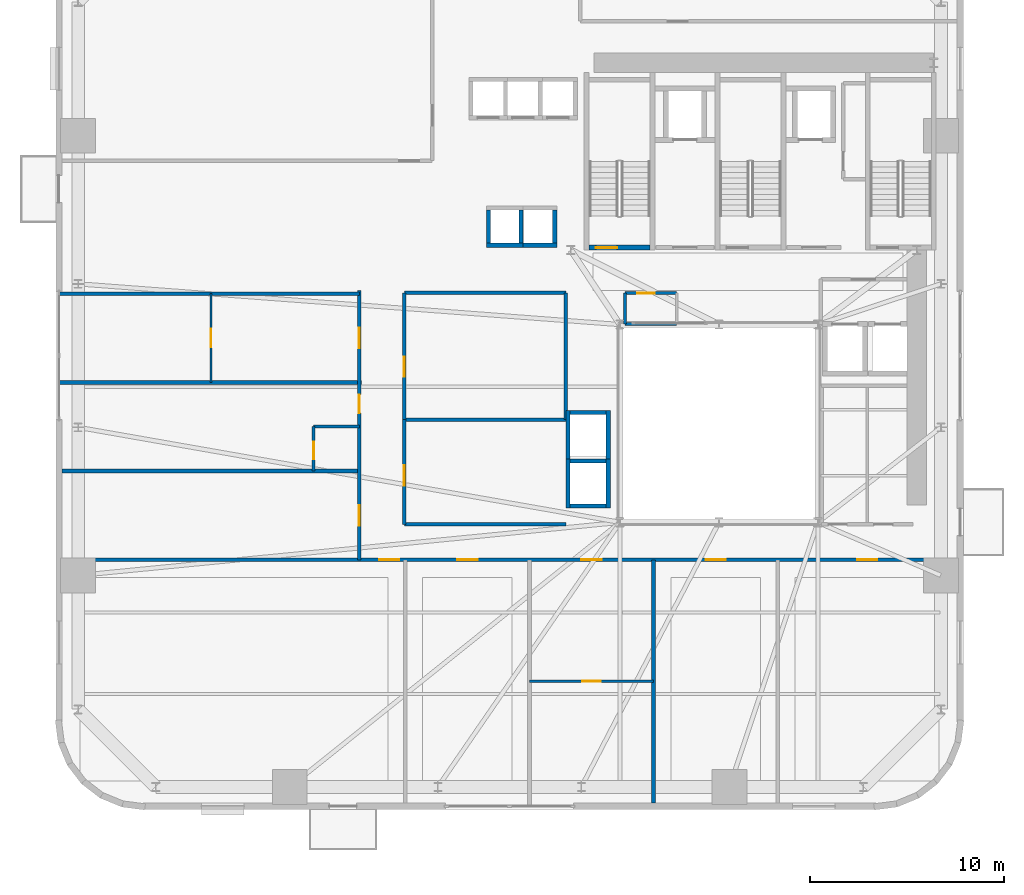
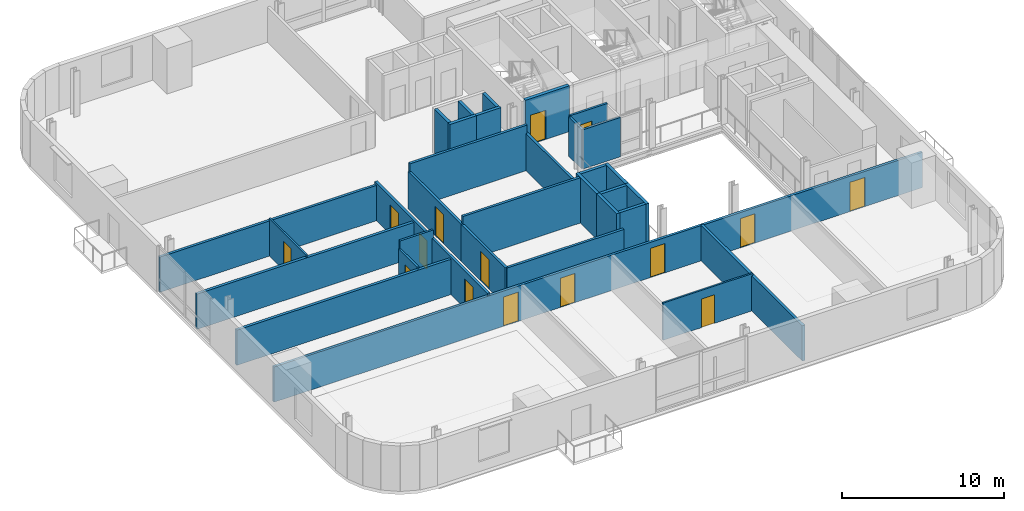
# One storey, part 6 of 13: 32 walls, 15 doors, 15 openings.
"""IFC4 building model written with IfcOpenShell, lengths in metres."""

from ifc_helpers import new_model, si_unit, direction, frame, frame_2d, origin, place, context, subcontext, project, spatial, rectangle, extrude, source, transform, mapped, material, layer, layer_set, type_object, element, fill, save


model = new_model("IFC4")

# Units and contexts
model_context = context("Model", 3, precision=1e-05, world=origin(), true_north=direction((0.0, 1.0)))
body_context = subcontext(model_context, "Body", "Model", "MODEL_VIEW")
ifc_project = project(units=[si_unit("LENGTHUNIT", "METRE"), si_unit("AREAUNIT", "SQUARE_METRE"), si_unit("VOLUMEUNIT", "CUBIC_METRE"), si_unit("PLANEANGLEUNIT", "RADIAN"), si_unit("MASSUNIT", "GRAM", prefix="KILO")], contexts=[model_context])

# Site, building, storey
site_placement = place(None, origin())
site = spatial("IfcSite", under=ifc_project, at=site_placement, CompositionType="ELEMENT")
building_placement = place(site_placement, origin())
building = spatial("IfcBuilding", under=site, at=building_placement, Name="Vardaveli Station Tower", CompositionType="ELEMENT")
storey_placement = place(building_placement, frame((0.0, 0.0, 31.25)))
storey = spatial("IfcBuildingStorey", under=building, at=storey_placement, Name="L07", CompositionType="ELEMENT", Elevation=31.25)

# Wall, opening, door
ifc_material_1 = material(Name="Concrete C40/50", Category="concrete")
ifc_layer_1 = layer(ifc_material_1, 0.25, Name="Concrete C40/50")
ifc_layer_set_1 = layer_set([ifc_layer_1], Name="Concrete C40/50")
wall_type_1 = type_object("IfcWallType", Name="WAL-SHAFT-250", PredefinedType="SOLIDWALL", material=ifc_layer_set_1)
shared_shape_1 = source(origin(), body_context, "Body", "SweptSolid", [
    extrude(rectangle(XDim=3.14990234375, YDim=0.25, at=frame_2d((1.574951171875, 0.0))), origin(), (0.0, 0.0, 1.0), 3.449951171875),
])
wall_1_placement = place(storey_placement, frame((29.60009765625, 30.77490234375, 0.0), z_axis=(0.0, 0.0, 1.0), x_axis=(1.0, 0.0, 0.0)))
wall_1 = element("IfcWall", 1, at=wall_1_placement, inside=storey, type_object=wall_type_1, Name="W-L07-ST-1S", PredefinedType="SOLIDWALL", context=body_context, shape_type="MappedRepresentation", body=[
    mapped(shared_shape_1, transform((0.0, 0.0, 0.0), scale=1.0)),
])
shared_shape_2 = source(origin(), body_context, "Body", "SweptSolid", [
    extrude(rectangle(XDim=1.10009765625, YDim=2.199951171875, at=frame_2d((0.550048828125, 1.10009765625))), frame((0.0, 0.135009765625, 0.0), z_axis=(0.0, -1.0, 0.0), x_axis=(1.0, 0.0, 0.0)), (0.0, 0.0, 1.0), 0.27001953125),
])
opening_1_placement = place(wall_1_placement, frame((0.35009765625, 0.0, 0.0)))
opening_1 = element("IfcOpeningElement", 2, at=opening_1_placement, cuts=wall_1, Name="Opening D-04", PredefinedType="OPENING", context=body_context, shape_type="MappedRepresentation", body=[
    mapped(shared_shape_2, transform((0.0, 0.0, 0.0), scale=1.0)),
])
ifc_material_2 = material(Name="Steel smokeproof fire doorset", Category="steel")
door_type_1 = type_object("IfcDoorType", Name="DR-ST-1100x2200", OperationType="NOTDEFINED", PredefinedType="DOOR", material=ifc_material_2)
shared_shape_3 = source(origin(), body_context, "Body", "SweptSolid", [
    extrude(rectangle(XDim=1.10009765625, YDim=2.199951171875, at=frame_2d((0.550048828125, 1.10009765625))), frame((0.0, 0.02490234375, 0.0), z_axis=(0.0, -1.0, 0.0), x_axis=(1.0, 0.0, 0.0)), (0.0, 0.0, 1.0), 0.050048828125),
])
door_1_placement = place(opening_1_placement, origin())
door_1 = element("IfcDoor", 3, at=door_1_placement, inside=storey, type_object=door_type_1, Name="DST-1-L07", OperationType="SINGLE_SWING_LEFT", OverallHeight=2.199951171875, OverallWidth=1.10009765625, PredefinedType="DOOR", context=body_context, shape_type="MappedRepresentation", body=[
    mapped(shared_shape_3, transform((0.0, 0.0, 0.0), scale=1.0)),
])
fill(opening_1, door_1)

# Walls
ifc_layer_2 = layer(ifc_material_1, 0.219970703125, Name="Concrete C40/50")
ifc_layer_set_2 = layer_set([ifc_layer_2], Name="Concrete C40/50")
wall_type_2 = type_object("IfcWallType", Name="WAL-FFLOBBY-220", PredefinedType="SOLIDWALL", material=ifc_layer_set_2)
shared_shape_4 = source(origin(), body_context, "Body", "SweptSolid", [
    extrude(rectangle(XDim=1.89013671875, YDim=0.219970703125, at=frame_2d((0.945068359375, 0.0))), origin(), (0.0, 0.0, 1.0), 3.409912109375),
])
for number, where, z_axis, x_axis, name in (
    (4, (24.304931640625, 30.889892578125, 0.0), (0.0, 0.0, 1.0), (1.0, 0.0, 0.0), "SHW-SHU-01-L07-S"),
    (5, (26.054931640625, 30.889892578125, 0.0), (0.0, 0.0, 1.0), (1.0, 0.0, 0.0), "SHW-SHU-02-L07-S"),
):
    element("IfcWall", number, at=place(storey_placement, frame(where, z_axis=z_axis, x_axis=x_axis)), inside=storey, type_object=wall_type_2, Name=name, PredefinedType="SOLIDWALL", context=body_context, shape_type="MappedRepresentation", body=[
        mapped(shared_shape_4, transform((0.0, 0.0, 0.0), scale=1.0)),
    ])
shared_shape_5 = source(origin(), body_context, "Body", "SweptSolid", [
    extrude(rectangle(XDim=1.699951171875, YDim=0.219970703125, at=frame_2d((0.85009765625, 0.0))), origin(), (0.0, 0.0, 1.0), 3.409912109375),
])
for number, where, z_axis, x_axis, name in (
    (6, (24.4150390625, 31.0, 0.0), (0.0, 0.0, 1.0), (0.0, 1.0, 0.0), "SHW-SHU-01-L07-W"),
    (7, (26.0849609375, 31.0, 0.0), (0.0, 0.0, 1.0), (0.0, 1.0, 0.0), "SHW-SHU-01-L07-E"),
    (8, (27.8349609375, 31.0, 0.0), (0.0, 0.0, 1.0), (0.0, 1.0, 0.0), "SHW-SHU-02-L07-E"),
):
    element("IfcWall", number, at=place(storey_placement, frame(where, z_axis=z_axis, x_axis=x_axis)), inside=storey, type_object=wall_type_2, Name=name, PredefinedType="SOLIDWALL", context=body_context, shape_type="MappedRepresentation", body=[
        mapped(shared_shape_5, transform((0.0, 0.0, 0.0), scale=1.0)),
    ])
shared_shape_6 = source(origin(), body_context, "Body", "SweptSolid", [
    extrude(rectangle(XDim=1.85009765625, YDim=0.219970703125, at=frame_2d((0.925048828125, 0.0))), origin(), (0.0, 0.0, 1.0), 3.409912109375),
])
for number, where, z_axis, x_axis, name in (
    (9, (28.625, 17.43994140625, 0.0), (0.0, 0.0, 1.0), (1.0, 0.0, 0.0), "SHW-OBS-01-L07-S"),
    (10, (28.625, 19.760009765625, 0.0), (0.0, 0.0, 1.0), (1.0, 0.0, 0.0), "SHW-OBS-01-L07-N"),
    (11, (28.625, 22.260009765625, 0.0), (0.0, 0.0, 1.0), (1.0, 0.0, 0.0), "SHW-OBS-02-L07-N"),
):
    element("IfcWall", number, at=place(storey_placement, frame(where, z_axis=z_axis, x_axis=x_axis)), inside=storey, type_object=wall_type_2, Name=name, PredefinedType="SOLIDWALL", context=body_context, shape_type="MappedRepresentation", body=[
        mapped(shared_shape_6, transform((0.0, 0.0, 0.0), scale=1.0)),
    ])
shared_shape_7 = source(origin(), body_context, "Body", "SweptSolid", [
    extrude(rectangle(XDim=2.5400390625, YDim=0.219970703125, at=frame_2d((1.27001953125, 0.0))), origin(), (0.0, 0.0, 1.0), 3.409912109375),
])
for number, where, z_axis, x_axis, name in (
    (12, (28.514892578125, 17.330078125, 0.0), (0.0, 0.0, 1.0), (0.0, 1.0, 0.0), "SHW-OBS-01-L07-W"),
    (13, (30.5849609375, 17.330078125, 0.0), (0.0, 0.0, 1.0), (0.0, 1.0, 0.0), "SHW-OBS-01-L07-E"),
    (14, (28.514892578125, 19.830078125, 0.0), (0.0, 0.0, 1.0), (0.0, 1.0, 0.0), "SHW-OBS-02-L07-W"),
    (15, (30.5849609375, 19.830078125, 0.0), (0.0, 0.0, 1.0), (0.0, 1.0, 0.0), "SHW-OBS-02-L07-E"),
):
    element("IfcWall", number, at=place(storey_placement, frame(where, z_axis=z_axis, x_axis=x_axis)), inside=storey, type_object=wall_type_2, Name=name, PredefinedType="SOLIDWALL", context=body_context, shape_type="MappedRepresentation", body=[
        mapped(shared_shape_7, transform((0.0, 0.0, 0.0), scale=1.0)),
    ])

# Wall, openings, doors
ifc_material_3 = material(Name="Fire-rated gypsum stud partition")
ifc_layer_3 = layer(ifc_material_3, 0.179931640625, Name="Fire-rated gypsum stud partition")
ifc_layer_set_3 = layer_set([ifc_layer_3], Name="Fire-rated gypsum stud partition")
wall_type_3 = type_object("IfcWallType", Name="WAL-CORR-180", PredefinedType="PARTITIONING", material=ifc_layer_set_3)
shared_shape_8 = source(origin(), body_context, "Body", "SweptSolid", [
    extrude(rectangle(XDim=13.89013671875, YDim=0.179931640625, at=frame_2d((6.945068359375, 0.0))), origin(), (0.0, 0.0, 1.0), 2.802001953125),
])
wall_2_placement = place(storey_placement, frame((17.75, 14.659912109375, 0.0), z_axis=(0.0, 0.0, 1.0), x_axis=(0.0, 1.0, 0.0)))
wall_2 = element("IfcWall", 16, at=wall_2_placement, inside=storey, type_object=wall_type_3, Name="W-L07-CW", PredefinedType="PARTITIONING", context=body_context, shape_type="MappedRepresentation", body=[
    mapped(shared_shape_8, transform((0.0, 0.0, 0.0), scale=1.0)),
])
shared_shape_9 = source(origin(), body_context, "Body", "SweptSolid", [
    extrude(rectangle(XDim=1.050048828125, YDim=2.199951171875, at=frame_2d((0.52490234375, 1.10009765625))), frame((0.0, 0.10009765625, 0.0), z_axis=(0.0, -1.0, 0.0), x_axis=(1.0, 0.0, 0.0)), (0.0, 0.0, 1.0), 0.199951171875),
])
opening_2_placement = place(wall_2_placement, frame((1.77001953125, 0.0, 0.0)))
opening_2 = element("IfcOpeningElement", 17, at=opening_2_placement, cuts=wall_2, Name="Opening D-05", PredefinedType="OPENING", context=body_context, shape_type="MappedRepresentation", body=[
    mapped(shared_shape_9, transform((0.0, 0.0, 0.0), scale=1.0)),
])
shared_shape_10 = source(origin(), body_context, "Body", "SweptSolid", [
    extrude(rectangle(XDim=0.949951171875, YDim=2.14990234375, at=frame_2d((0.47509765625, 1.074951171875))), frame((0.0, 0.10009765625, 0.0), z_axis=(0.0, -1.0, 0.0), x_axis=(1.0, 0.0, 0.0)), (0.0, 0.0, 1.0), 0.199951171875),
])
opening_3_placement = place(wall_2_placement, frame((7.574951171875, 0.0, 0.0)))
opening_3 = element("IfcOpeningElement", 18, at=opening_3_placement, cuts=wall_2, Name="Opening D-06", PredefinedType="OPENING", context=body_context, shape_type="MappedRepresentation", body=[
    mapped(shared_shape_10, transform((0.0, 0.0, 0.0), scale=1.0)),
])
opening_4_placement = place(wall_2_placement, frame((10.929931640625, 0.0, 0.0)))
opening_4 = element("IfcOpeningElement", 19, at=opening_4_placement, cuts=wall_2, Name="Opening D-05", PredefinedType="OPENING", context=body_context, shape_type="MappedRepresentation", body=[
    mapped(shared_shape_9, transform((0.0, 0.0, 0.0), scale=1.0)),
])
ifc_material_4 = material(Name="Walnut veneer acoustic fire door")
door_type_2 = type_object("IfcDoorType", Name="DR-SUITE-1050x2200", OperationType="NOTDEFINED", PredefinedType="DOOR", material=ifc_material_4)
shared_shape_11 = source(origin(), body_context, "Body", "SweptSolid", [
    extrude(rectangle(XDim=1.050048828125, YDim=2.199951171875, at=frame_2d((0.52490234375, 1.10009765625))), frame((0.0, 0.02490234375, 0.0), z_axis=(0.0, -1.0, 0.0), x_axis=(1.0, 0.0, 0.0)), (0.0, 0.0, 1.0), 0.050048828125),
])
door_2_placement = place(opening_2_placement, origin())
door_2 = element("IfcDoor", 20, at=door_2_placement, inside=storey, type_object=door_type_2, Name="D-L07-GW1", OperationType="SINGLE_SWING_RIGHT", OverallHeight=2.199951171875, OverallWidth=1.050048828125, PredefinedType="DOOR", context=body_context, shape_type="MappedRepresentation", body=[
    mapped(shared_shape_11, transform((0.0, 0.0, 0.0), scale=1.0)),
])
fill(opening_2, door_2)
door_3_placement = place(opening_4_placement, origin())
door_3 = element("IfcDoor", 21, at=door_3_placement, inside=storey, type_object=door_type_2, Name="D-L07-GW3", OperationType="SINGLE_SWING_RIGHT", OverallHeight=2.199951171875, OverallWidth=1.050048828125, PredefinedType="DOOR", context=body_context, shape_type="MappedRepresentation", body=[
    mapped(shared_shape_11, transform((0.0, 0.0, 0.0), scale=1.0)),
])
fill(opening_4, door_3)
ifc_material_5 = material(Name="Oak veneer acoustic fire door")
door_type_3 = type_object("IfcDoorType", Name="DR-GUEST-950x2150", OperationType="NOTDEFINED", PredefinedType="DOOR", material=ifc_material_5)
shared_shape_12 = source(origin(), body_context, "Body", "SweptSolid", [
    extrude(rectangle(XDim=0.949951171875, YDim=2.14990234375, at=frame_2d((0.47509765625, 1.074951171875))), frame((0.0, 0.02490234375, 0.0), z_axis=(0.0, -1.0, 0.0), x_axis=(1.0, 0.0, 0.0)), (0.0, 0.0, 1.0), 0.050048828125),
])
door_4_placement = place(opening_3_placement, origin())
door_4 = element("IfcDoor", 22, at=door_4_placement, inside=storey, type_object=door_type_3, Name="D-L07-GW2", OperationType="SINGLE_SWING_LEFT", OverallHeight=2.14990234375, OverallWidth=0.949951171875, PredefinedType="DOOR", context=body_context, shape_type="MappedRepresentation", body=[
    mapped(shared_shape_12, transform((0.0, 0.0, 0.0), scale=1.0)),
])
fill(opening_3, door_4)

# Wall, opening, door
ifc_material_6 = material(Name="Gypsum board stud partition")
ifc_layer_4 = layer(ifc_material_6, 0.125, Name="Gypsum board stud partition")
ifc_layer_set_4 = layer_set([ifc_layer_4], Name="Gypsum board stud partition")
wall_type_4 = type_object("IfcWallType", Name="WAL-INT-125", PredefinedType="PARTITIONING", material=ifc_layer_set_4)
shared_shape_13 = source(origin(), body_context, "Body", "SweptSolid", [
    extrude(rectangle(XDim=6.404052734375, YDim=0.125, at=frame_2d((3.2021484375, 0.0))), origin(), (0.0, 0.0, 1.0), 2.802001953125),
])
wall_3_placement = place(storey_placement, frame((26.52294921875, 8.405029296875, 0.0), z_axis=(0.0, 0.0, 1.0), x_axis=(1.0, 0.0, 0.0)))
wall_3 = element("IfcWall", 23, at=wall_3_placement, inside=storey, type_object=wall_type_4, Name="W-L07-SCM3", PredefinedType="PARTITIONING", context=body_context, shape_type="MappedRepresentation", body=[
    mapped(shared_shape_13, transform((0.0, 0.0, 0.0), scale=1.0)),
])
shared_shape_14 = source(origin(), body_context, "Body", "SweptSolid", [
    extrude(rectangle(XDim=0.949951171875, YDim=2.14990234375, at=frame_2d((0.47509765625, 1.074951171875))), frame((0.0, 0.072509765625, 0.0), z_axis=(0.0, -1.0, 0.0), x_axis=(1.0, 0.0, 0.0)), (0.0, 0.0, 1.0), 0.14501953125),
])
opening_5_placement = place(wall_3_placement, frame((2.7216796875, 0.0, 0.0)))
opening_5 = element("IfcOpeningElement", 24, at=opening_5_placement, cuts=wall_3, Name="Opening D-11", PredefinedType="OPENING", context=body_context, shape_type="MappedRepresentation", body=[
    mapped(shared_shape_14, transform((0.0, 0.0, 0.0), scale=1.0)),
])
ifc_material_7 = material(Name="Oak veneer internal suite door")
door_type_4 = type_object("IfcDoorType", Name="DR-INT-950x2150", OperationType="NOTDEFINED", PredefinedType="DOOR", material=ifc_material_7)
door_5_placement = place(opening_5_placement, origin())
door_5 = element("IfcDoor", 25, at=door_5_placement, inside=storey, type_object=door_type_4, Name="D-L07-SCF3", OperationType="SINGLE_SWING_LEFT", OverallHeight=2.14990234375, OverallWidth=0.949951171875, PredefinedType="DOOR", context=body_context, shape_type="MappedRepresentation", body=[
    mapped(shared_shape_12, transform((0.0, 0.0, 0.0), scale=1.0)),
])
fill(opening_5, door_5)

shared_shape_15 = source(origin(), body_context, "Body", "SweptSolid", [
    extrude(rectangle(XDim=4.579833984375, YDim=0.125, at=frame_2d((2.2900390625, 0.0))), origin(), (0.0, 0.0, 1.0), 2.802001953125),
])
wall_4_placement = place(storey_placement, frame((10.10009765625, 23.820068359375, 0.0), z_axis=(0.0, 0.0, 1.0), x_axis=(0.0, 1.0, 0.0)))
wall_4 = element("IfcWall", 26, at=wall_4_placement, inside=storey, type_object=wall_type_4, Name="W-L07-WCM3", PredefinedType="PARTITIONING", context=body_context, shape_type="MappedRepresentation", body=[
    mapped(shared_shape_15, transform((0.0, 0.0, 0.0), scale=1.0)),
])
opening_6_placement = place(wall_4_placement, frame((1.81005859375, 0.0, 0.0)))
opening_6 = element("IfcOpeningElement", 27, at=opening_6_placement, cuts=wall_4, Name="Opening D-11", PredefinedType="OPENING", context=body_context, shape_type="MappedRepresentation", body=[
    mapped(shared_shape_14, transform((0.0, 0.0, 0.0), scale=1.0)),
])
door_6_placement = place(opening_6_placement, origin())
door_6 = element("IfcDoor", 28, at=door_6_placement, inside=storey, type_object=door_type_4, Name="D-L07-GWF3", OperationType="SINGLE_SWING_LEFT", OverallHeight=2.14990234375, OverallWidth=0.949951171875, PredefinedType="DOOR", context=body_context, shape_type="MappedRepresentation", body=[
    mapped(shared_shape_12, transform((0.0, 0.0, 0.0), scale=1.0)),
])
fill(opening_6, door_6)

ifc_material_8 = material(Name="Moisture-resistant stud partition")
ifc_layer_5 = layer(ifc_material_8, 0.14990234375, Name="Moisture-resistant stud partition")
ifc_layer_set_5 = layer_set([ifc_layer_5], Name="Moisture-resistant stud partition")
wall_type_5 = type_object("IfcWallType", Name="WAL-WET-150", PredefinedType="PARTITIONING", material=ifc_layer_set_5)
shared_shape_16 = source(origin(), body_context, "Body", "SweptSolid", [
    extrude(rectangle(XDim=2.2900390625, YDim=0.14990234375, at=frame_2d((1.14501953125, 0.0))), origin(), (0.0, 0.0, 1.0), 2.802001953125),
])
wall_5_placement = place(storey_placement, frame((15.389892578125, 19.260009765625, 0.0), z_axis=(0.0, 0.0, 1.0), x_axis=(0.0, 1.0, 0.0)))
wall_5 = element("IfcWall", 29, at=wall_5_placement, inside=storey, type_object=wall_type_5, Name="W-L07-BW2-W", PredefinedType="PARTITIONING", context=body_context, shape_type="MappedRepresentation", body=[
    mapped(shared_shape_16, transform((0.0, 0.0, 0.0), scale=1.0)),
])
shared_shape_17 = source(origin(), body_context, "Body", "SweptSolid", [
    extrude(rectangle(XDim=0.89990234375, YDim=2.10009765625, at=frame_2d((0.449951171875, 1.050048828125))), frame((0.0, 0.0849609375, 0.0), z_axis=(0.0, -1.0, 0.0), x_axis=(1.0, 0.0, 0.0)), (0.0, 0.0, 1.0), 0.169921875),
])
opening_7_placement = place(wall_5_placement, frame((0.60009765625, 0.0, 0.0)))
opening_7 = element("IfcOpeningElement", 30, at=opening_7_placement, cuts=wall_5, Name="Opening D-08", PredefinedType="OPENING", context=body_context, shape_type="MappedRepresentation", body=[
    mapped(shared_shape_17, transform((0.0, 0.0, 0.0), scale=1.0)),
])
ifc_material_9 = material(Name="Moisture-resistant oak door")
door_type_5 = type_object("IfcDoorType", Name="DR-BATH-900x2100", OperationType="NOTDEFINED", PredefinedType="DOOR", material=ifc_material_9)
shared_shape_18 = source(origin(), body_context, "Body", "SweptSolid", [
    extrude(rectangle(XDim=0.89990234375, YDim=2.10009765625, at=frame_2d((0.449951171875, 1.050048828125))), frame((0.0, 0.02490234375, 0.0), z_axis=(0.0, -1.0, 0.0), x_axis=(1.0, 0.0, 0.0)), (0.0, 0.0, 1.0), 0.050048828125),
])
door_7_placement = place(opening_7_placement, origin())
door_7 = element("IfcDoor", 31, at=door_7_placement, inside=storey, type_object=door_type_5, Name="D-L07-BW2", OperationType="SINGLE_SWING_LEFT", OverallHeight=2.10009765625, OverallWidth=0.89990234375, PredefinedType="DOOR", context=body_context, shape_type="MappedRepresentation", body=[
    mapped(shared_shape_18, transform((0.0, 0.0, 0.0), scale=1.0)),
])
fill(opening_7, door_7)

# Walls
shared_shape_19 = source(origin(), body_context, "Body", "SweptSolid", [
    extrude(rectangle(XDim=8.329833984375, YDim=0.179931640625, at=frame_2d((4.1650390625, 0.0))), origin(), (0.0, 0.0, 1.0), 2.802001953125),
])
wall_6_placement = place(storey_placement, frame((20.070068359375, 16.5, 0.0), z_axis=(0.0, 0.0, 1.0), x_axis=(1.0, 0.0, 0.0)))
element("IfcWall", 32, at=wall_6_placement, inside=storey, type_object=wall_type_3, Name="W-L07-ATW1-S", PredefinedType="PARTITIONING", context=body_context, shape_type="MappedRepresentation", body=[
    mapped(shared_shape_19, transform((0.0, 0.0, 0.0), scale=1.0)),
])
shared_shape_20 = source(origin(), body_context, "Body", "SweptSolid", [
    extrude(rectangle(XDim=8.329833984375, YDim=0.179931640625, at=frame_2d((4.1650390625, 0.0))), origin(), (0.0, 0.0, 1.0), 3.409912109375),
])
for number, where, z_axis, x_axis, name in (
    (33, (20.070068359375, 21.89990234375, 0.0), (0.0, 0.0, 1.0), (1.0, 0.0, 0.0), "W-L07-ATW1-N"),
    (34, (20.070068359375, 28.43994140625, 0.0), (0.0, 0.0, 1.0), (1.0, 0.0, 0.0), "W-L07-ATW2-N"),
):
    element("IfcWall", number, at=place(storey_placement, frame(where, z_axis=z_axis, x_axis=x_axis)), inside=storey, type_object=wall_type_3, Name=name, PredefinedType="PARTITIONING", context=body_context, shape_type="MappedRepresentation", body=[
        mapped(shared_shape_20, transform((0.0, 0.0, 0.0), scale=1.0)),
    ])
shared_shape_21 = source(origin(), body_context, "Body", "SweptSolid", [
    extrude(rectangle(XDim=2.360107421875, YDim=0.14990234375, at=frame_2d((1.18017578125, 0.0))), origin(), (0.0, 0.0, 1.0), 3.409912109375),
])
wall_7_placement = place(storey_placement, frame((15.389892578125, 21.550048828125, 0.0), z_axis=(0.0, 0.0, 1.0), x_axis=(1.0, 0.0, 0.0)))
element("IfcWall", 35, at=wall_7_placement, inside=storey, type_object=wall_type_5, Name="W-L07-BW2-N", PredefinedType="PARTITIONING", context=body_context, shape_type="MappedRepresentation", body=[
    mapped(shared_shape_21, transform((0.0, 0.0, 0.0), scale=1.0)),
])

# Wall, openings, doors
shared_shape_22 = source(origin(), body_context, "Body", "SweptSolid", [
    extrude(rectangle(XDim=46.15576171875, YDim=0.179931640625, at=frame_2d((23.077880859375, 0.0))), origin(), (0.0, 0.0, 1.0), 2.652099609375),
])
wall_8_placement = place(storey_placement, frame((2.422119140625, 14.659912109375, 0.0), z_axis=(0.0, 0.0, 1.0), x_axis=(1.0, 0.0, 0.0)))
wall_8 = element("IfcWall", 36, at=wall_8_placement, inside=storey, type_object=wall_type_3, Name="W-L07-CS", PredefinedType="PARTITIONING", context=body_context, shape_type="MappedRepresentation", body=[
    mapped(shared_shape_22, transform((0.0, 0.0, 0.0), scale=1.0)),
])
opening_8_placement = place(wall_8_placement, frame((16.347900390625, 0.0, 0.0)))
opening_8 = element("IfcOpeningElement", 37, at=opening_8_placement, cuts=wall_8, Name="Opening D-05", PredefinedType="OPENING", context=body_context, shape_type="MappedRepresentation", body=[
    mapped(shared_shape_9, transform((0.0, 0.0, 0.0), scale=1.0)),
])
opening_9_placement = place(wall_8_placement, frame((20.379638671875, 0.0, 0.0)))
opening_9 = element("IfcOpeningElement", 38, at=opening_9_placement, cuts=wall_8, Name="Opening D-05", PredefinedType="OPENING", context=body_context, shape_type="MappedRepresentation", body=[
    mapped(shared_shape_9, transform((0.0, 0.0, 0.0), scale=1.0)),
])
opening_10_placement = place(wall_8_placement, frame((26.782958984375, 0.0, 0.0)))
opening_10 = element("IfcOpeningElement", 39, at=opening_10_placement, cuts=wall_8, Name="Opening D-05", PredefinedType="OPENING", context=body_context, shape_type="MappedRepresentation", body=[
    mapped(shared_shape_9, transform((0.0, 0.0, 0.0), scale=1.0)),
])
opening_11_placement = place(wall_8_placement, frame((33.186279296875, 0.0, 0.0)))
opening_11 = element("IfcOpeningElement", 40, at=opening_11_placement, cuts=wall_8, Name="Opening D-05", PredefinedType="OPENING", context=body_context, shape_type="MappedRepresentation", body=[
    mapped(shared_shape_9, transform((0.0, 0.0, 0.0), scale=1.0)),
])
opening_12_placement = place(wall_8_placement, frame((40.998046875, 0.0, 0.0)))
opening_12 = element("IfcOpeningElement", 41, at=opening_12_placement, cuts=wall_8, Name="Opening D-05", PredefinedType="OPENING", context=body_context, shape_type="MappedRepresentation", body=[
    mapped(shared_shape_9, transform((0.0, 0.0, 0.0), scale=1.0)),
])
door_8_placement = place(opening_8_placement, origin())
door_8 = element("IfcDoor", 42, at=door_8_placement, inside=storey, type_object=door_type_2, Name="D-L07-SA1", OperationType="SINGLE_SWING_LEFT", OverallHeight=2.199951171875, OverallWidth=1.050048828125, PredefinedType="DOOR", context=body_context, shape_type="MappedRepresentation", body=[
    mapped(shared_shape_11, transform((0.0, 0.0, 0.0), scale=1.0)),
])
fill(opening_8, door_8)
door_9_placement = place(opening_9_placement, origin())
door_9 = element("IfcDoor", 43, at=door_9_placement, inside=storey, type_object=door_type_2, Name="D-L07-SA2", OperationType="SINGLE_SWING_RIGHT", OverallHeight=2.199951171875, OverallWidth=1.050048828125, PredefinedType="DOOR", context=body_context, shape_type="MappedRepresentation", body=[
    mapped(shared_shape_11, transform((0.0, 0.0, 0.0), scale=1.0)),
])
fill(opening_9, door_9)
door_10_placement = place(opening_10_placement, origin())
door_10 = element("IfcDoor", 44, at=door_10_placement, inside=storey, type_object=door_type_2, Name="D-L07-SCB3", OperationType="SINGLE_SWING_LEFT", OverallHeight=2.199951171875, OverallWidth=1.050048828125, PredefinedType="DOOR", context=body_context, shape_type="MappedRepresentation", body=[
    mapped(shared_shape_11, transform((0.0, 0.0, 0.0), scale=1.0)),
])
fill(opening_10, door_10)
door_11_placement = place(opening_11_placement, origin())
door_11 = element("IfcDoor", 45, at=door_11_placement, inside=storey, type_object=door_type_2, Name="D-L07-SA4", OperationType="SINGLE_SWING_RIGHT", OverallHeight=2.199951171875, OverallWidth=1.050048828125, PredefinedType="DOOR", context=body_context, shape_type="MappedRepresentation", body=[
    mapped(shared_shape_11, transform((0.0, 0.0, 0.0), scale=1.0)),
])
fill(opening_11, door_11)
door_12_placement = place(opening_12_placement, origin())
door_12 = element("IfcDoor", 46, at=door_12_placement, inside=storey, type_object=door_type_2, Name="D-L07-SA5", OperationType="SINGLE_SWING_LEFT", OverallHeight=2.199951171875, OverallWidth=1.050048828125, PredefinedType="DOOR", context=body_context, shape_type="MappedRepresentation", body=[
    mapped(shared_shape_11, transform((0.0, 0.0, 0.0), scale=1.0)),
])
fill(opening_12, door_12)

# Wall, opening, door
shared_shape_23 = source(origin(), body_context, "Body", "SweptSolid", [
    extrude(rectangle(XDim=6.5400390625, YDim=0.179931640625, at=frame_2d((3.27001953125, 0.0))), origin(), (0.0, 0.0, 1.0), 2.802001953125),
])
wall_9_placement = place(storey_placement, frame((20.070068359375, 21.89990234375, 0.0), z_axis=(0.0, 0.0, 1.0), x_axis=(0.0, 1.0, 0.0)))
wall_9 = element("IfcWall", 47, at=wall_9_placement, inside=storey, type_object=wall_type_3, Name="W-L07-ATW2-W", PredefinedType="PARTITIONING", context=body_context, shape_type="MappedRepresentation", body=[
    mapped(shared_shape_23, transform((0.0, 0.0, 0.0), scale=1.0)),
])
opening_13_placement = place(wall_9_placement, frame((2.199951171875, 0.0, 0.0)))
opening_13 = element("IfcOpeningElement", 48, at=opening_13_placement, cuts=wall_9, Name="Opening D-05", PredefinedType="OPENING", context=body_context, shape_type="MappedRepresentation", body=[
    mapped(shared_shape_9, transform((0.0, 0.0, 0.0), scale=1.0)),
])
door_13_placement = place(opening_13_placement, origin())
door_13 = element("IfcDoor", 49, at=door_13_placement, inside=storey, type_object=door_type_2, Name="D-L07-ATW2", OperationType="SINGLE_SWING_RIGHT", OverallHeight=2.199951171875, OverallWidth=1.050048828125, PredefinedType="DOOR", context=body_context, shape_type="MappedRepresentation", body=[
    mapped(shared_shape_11, transform((0.0, 0.0, 0.0), scale=1.0)),
])
fill(opening_13, door_13)

# Wall
wall_10_placement = place(storey_placement, frame((28.39990234375, 21.89990234375, 0.0), z_axis=(0.0, 0.0, 1.0), x_axis=(0.0, 1.0, 0.0)))
element("IfcWall", 50, at=wall_10_placement, inside=storey, type_object=wall_type_3, Name="W-L07-ATW2-E", PredefinedType="PARTITIONING", context=body_context, shape_type="MappedRepresentation", body=[
    mapped(shared_shape_23, transform((0.0, 0.0, 0.0), scale=1.0)),
])

# Wall, opening, door
shared_shape_24 = source(origin(), body_context, "Body", "SweptSolid", [
    extrude(rectangle(XDim=5.39990234375, YDim=0.179931640625, at=frame_2d((2.699951171875, 0.0))), origin(), (0.0, 0.0, 1.0), 2.802001953125),
])
wall_11_placement = place(storey_placement, frame((20.070068359375, 16.5, 0.0), z_axis=(0.0, 0.0, 1.0), x_axis=(0.0, 1.0, 0.0)))
wall_11 = element("IfcWall", 51, at=wall_11_placement, inside=storey, type_object=wall_type_3, Name="W-L07-ATW1-W", PredefinedType="PARTITIONING", context=body_context, shape_type="MappedRepresentation", body=[
    mapped(shared_shape_24, transform((0.0, 0.0, 0.0), scale=1.0)),
])
opening_14_placement = place(wall_11_placement, frame((2.0, 0.0, 0.0)))
opening_14 = element("IfcOpeningElement", 52, at=opening_14_placement, cuts=wall_11, Name="Opening D-05", PredefinedType="OPENING", context=body_context, shape_type="MappedRepresentation", body=[
    mapped(shared_shape_9, transform((0.0, 0.0, 0.0), scale=1.0)),
])
door_14_placement = place(opening_14_placement, origin())
door_14 = element("IfcDoor", 53, at=door_14_placement, inside=storey, type_object=door_type_2, Name="D-L07-ATW1", OperationType="SINGLE_SWING_RIGHT", OverallHeight=2.199951171875, OverallWidth=1.050048828125, PredefinedType="DOOR", context=body_context, shape_type="MappedRepresentation", body=[
    mapped(shared_shape_11, transform((0.0, 0.0, 0.0), scale=1.0)),
])
fill(opening_14, door_14)

shared_shape_25 = source(origin(), body_context, "Body", "SweptSolid", [
    extrude(rectangle(XDim=2.670166015625, YDim=0.14990234375, at=frame_2d((1.3349609375, 0.0))), origin(), (0.0, 0.0, 1.0), 3.0419921875),
])
wall_12_placement = place(storey_placement, frame((31.449951171875, 28.419921875, 0.0), z_axis=(0.0, 0.0, 1.0), x_axis=(1.0, 0.0, 0.0)))
wall_12 = element("IfcWall", 54, at=wall_12_placement, inside=storey, type_object=wall_type_5, Name="W-L07-WCA1-N", PredefinedType="PARTITIONING", context=body_context, shape_type="MappedRepresentation", body=[
    mapped(shared_shape_25, transform((0.0, 0.0, 0.0), scale=1.0)),
])
shared_shape_26 = source(origin(), body_context, "Body", "SweptSolid", [
    extrude(rectangle(XDim=0.919921875, YDim=2.10009765625, at=frame_2d((0.4599609375, 1.050048828125))), frame((0.0, 0.0849609375, 0.0), z_axis=(0.0, -1.0, 0.0), x_axis=(1.0, 0.0, 0.0)), (0.0, 0.0, 1.0), 0.169921875),
])
opening_15_placement = place(wall_12_placement, frame((0.6298828125, 0.0, 0.0)))
opening_15 = element("IfcOpeningElement", 55, at=opening_15_placement, cuts=wall_12, Name="Opening D-07", PredefinedType="OPENING", context=body_context, shape_type="MappedRepresentation", body=[
    mapped(shared_shape_26, transform((0.0, 0.0, 0.0), scale=1.0)),
])
ifc_material_10 = material(Name="Moisture-resistant hardwood door", Category="wood")
door_type_6 = type_object("IfcDoorType", Name="DR-WC-920x2100", OperationType="NOTDEFINED", PredefinedType="DOOR", material=ifc_material_10)
shared_shape_27 = source(origin(), body_context, "Body", "SweptSolid", [
    extrude(rectangle(XDim=0.919921875, YDim=2.10009765625, at=frame_2d((0.4599609375, 1.050048828125))), frame((0.0, 0.02490234375, 0.0), z_axis=(0.0, -1.0, 0.0), x_axis=(1.0, 0.0, 0.0)), (0.0, 0.0, 1.0), 0.050048828125),
])
door_15_placement = place(opening_15_placement, origin())
door_15 = element("IfcDoor", 56, at=door_15_placement, inside=storey, type_object=door_type_6, Name="D-L07-WCA", OperationType="SINGLE_SWING_RIGHT", OverallHeight=2.10009765625, OverallWidth=0.919921875, PredefinedType="DOOR", context=body_context, shape_type="MappedRepresentation", body=[
    mapped(shared_shape_27, transform((0.0, 0.0, 0.0), scale=1.0)),
])
fill(opening_15, door_15)

# Walls
ifc_material_11 = material(Name="Acoustic twin-stud gypsum partition")
ifc_layer_6 = layer(ifc_material_11, 0.199951171875, Name="Acoustic twin-stud gypsum partition")
ifc_layer_set_6 = layer_set([ifc_layer_6], Name="Acoustic twin-stud gypsum partition")
wall_type_6 = type_object("IfcWallType", Name="WAL-PARTY-200", PredefinedType="PARTITIONING", material=ifc_layer_set_6)
shared_shape_28 = source(origin(), body_context, "Body", "SweptSolid", [
    extrude(rectangle(XDim=15.427978515625, YDim=0.199951171875, at=frame_2d((7.7138671875, 0.0))), origin(), (0.0, 0.0, 1.0), 2.652099609375),
])
wall_13_placement = place(storey_placement, frame((2.422119140625, 19.239990234375, 0.0), z_axis=(0.0, 0.0, 1.0), x_axis=(1.0, 0.0, 0.0)))
element("IfcWall", 57, at=wall_13_placement, inside=storey, type_object=wall_type_6, Name="W-L07-PW1", PredefinedType="PARTITIONING", context=body_context, shape_type="MappedRepresentation", body=[
    mapped(shared_shape_28, transform((0.0, 0.0, 0.0), scale=1.0)),
])
shared_shape_29 = source(origin(), body_context, "Body", "SweptSolid", [
    extrude(rectangle(XDim=15.6201171875, YDim=0.199951171875, at=frame_2d((7.81005859375, 0.0))), origin(), (0.0, 0.0, 1.0), 2.652099609375),
])
wall_14_placement = place(storey_placement, frame((2.22998046875, 23.820068359375, 0.0), z_axis=(0.0, 0.0, 1.0), x_axis=(1.0, 0.0, 0.0)))
element("IfcWall", 58, at=wall_14_placement, inside=storey, type_object=wall_type_6, Name="W-L07-PW2", PredefinedType="PARTITIONING", context=body_context, shape_type="MappedRepresentation", body=[
    mapped(shared_shape_29, transform((0.0, 0.0, 0.0), scale=1.0)),
])
shared_shape_30 = source(origin(), body_context, "Body", "SweptSolid", [
    extrude(rectangle(XDim=15.52001953125, YDim=0.179931640625, at=frame_2d((7.760009765625, 0.0))), origin(), (0.0, 0.0, 1.0), 2.652099609375),
])
wall_15_placement = place(storey_placement, frame((2.22998046875, 28.39990234375, 0.0), z_axis=(0.0, 0.0, 1.0), x_axis=(1.0, 0.0, 0.0)))
element("IfcWall", 59, at=wall_15_placement, inside=storey, type_object=wall_type_3, Name="W-L07-CWN", PredefinedType="PARTITIONING", context=body_context, shape_type="MappedRepresentation", body=[
    mapped(shared_shape_30, transform((0.0, 0.0, 0.0), scale=1.0)),
])
shared_shape_31 = source(origin(), body_context, "Body", "SweptSolid", [
    extrude(rectangle(XDim=12.537841796875, YDim=0.199951171875, at=frame_2d((6.26904296875, 0.0))), origin(), (0.0, 0.0, 1.0), 2.652099609375),
])
wall_16_placement = place(storey_placement, frame((32.927001953125, 2.1220703125, 0.0), z_axis=(0.0, 0.0, 1.0), x_axis=(0.0, 1.0, 0.0)))
element("IfcWall", 60, at=wall_16_placement, inside=storey, type_object=wall_type_6, Name="W-L07-PS3", PredefinedType="PARTITIONING", context=body_context, shape_type="MappedRepresentation", body=[
    mapped(shared_shape_31, transform((0.0, 0.0, 0.0), scale=1.0)),
])
shared_shape_32 = source(origin(), body_context, "Body", "SweptSolid", [
    extrude(rectangle(XDim=2.670166015625, YDim=0.14990234375, at=frame_2d((1.3349609375, 0.0))), origin(), (0.0, 0.0, 1.0), 2.951904296875),
])
wall_17_placement = place(storey_placement, frame((31.449951171875, 26.820068359375, 0.0), z_axis=(0.0, 0.0, 1.0), x_axis=(1.0, 0.0, 0.0)))
element("IfcWall", 61, at=wall_17_placement, inside=storey, type_object=wall_type_5, Name="W-L07-WCA1-S", PredefinedType="PARTITIONING", context=body_context, shape_type="MappedRepresentation", body=[
    mapped(shared_shape_32, transform((0.0, 0.0, 0.0), scale=1.0)),
])
shared_shape_33 = source(origin(), body_context, "Body", "SweptSolid", [
    extrude(rectangle(XDim=1.599853515625, YDim=0.14990234375, at=frame_2d((0.7998046875, 0.0))), origin(), (0.0, 0.0, 1.0), 2.951904296875),
])
wall_18_placement = place(storey_placement, frame((31.449951171875, 26.820068359375, 0.0), z_axis=(0.0, 0.0, 1.0), x_axis=(0.0, 1.0, 0.0)))
element("IfcWall", 62, at=wall_18_placement, inside=storey, type_object=wall_type_5, Name="W-L07-WCA1-W", PredefinedType="PARTITIONING", context=body_context, shape_type="MappedRepresentation", body=[
    mapped(shared_shape_33, transform((0.0, 0.0, 0.0), scale=1.0)),
])

save(model, "model.ifc")
